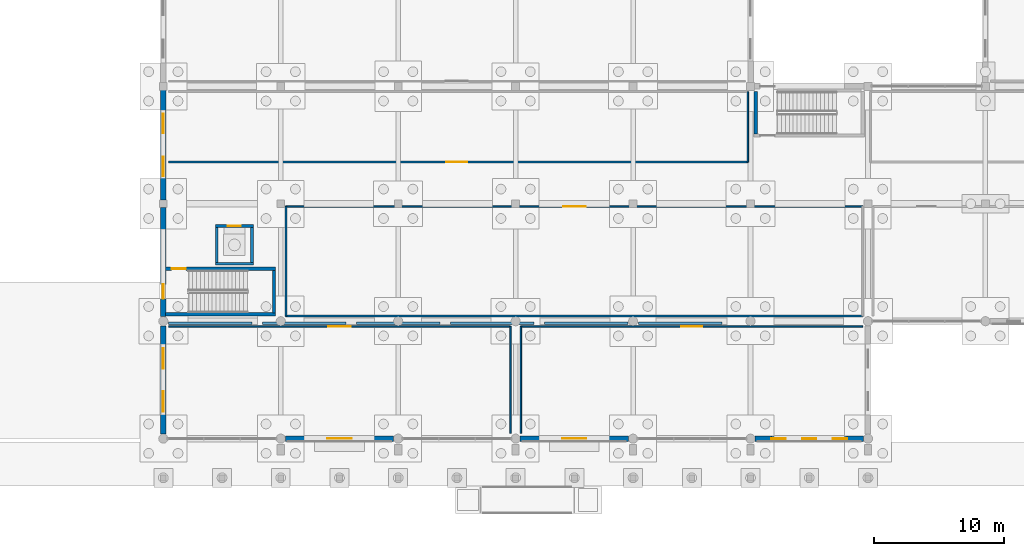
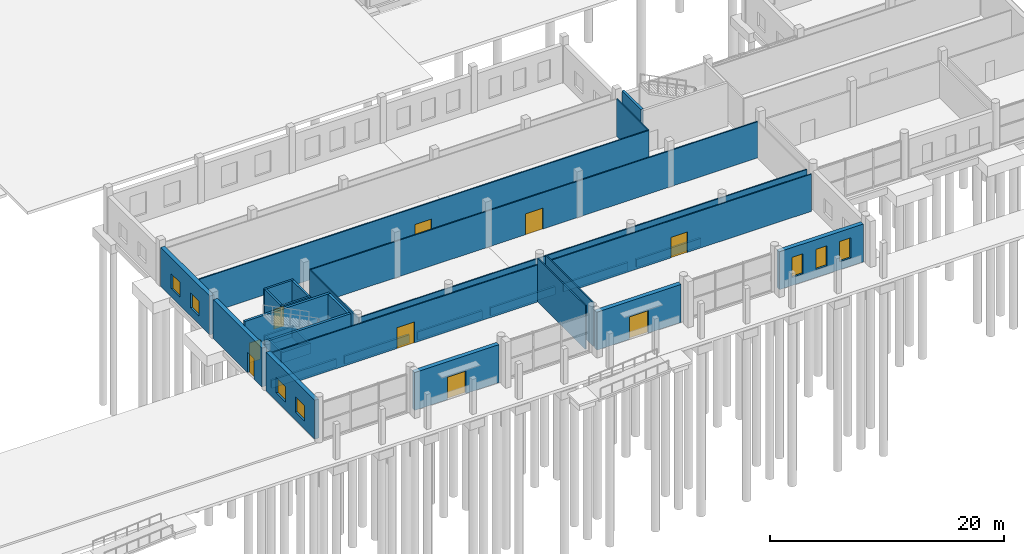
# One storey, part 75 of 112: 33 walls, 9 doors, 7 windows, 16 openings.
"""IFC4 building model written with IfcOpenShell, lengths in metres."""

from ifc_helpers import new_model, si_unit, direction, frame, frame_2d, origin, place, context, subcontext, project, spatial, rectangle, extrude, material, layer, layer_set, type_object, element, fill, save


model = new_model("IFC4")

# Units and contexts
model_context = context("Model", 3, precision=1e-05, world=origin(), true_north=direction((0.0, 1.0)))
body_context = subcontext(model_context, "Body", "Model", "MODEL_VIEW")
ifc_project = project(units=[si_unit("LENGTHUNIT", "METRE"), si_unit("AREAUNIT", "SQUARE_METRE"), si_unit("VOLUMEUNIT", "CUBIC_METRE"), si_unit("PLANEANGLEUNIT", "RADIAN"), si_unit("MASSUNIT", "GRAM", prefix="KILO")], contexts=[model_context])

# Site, building, storey
site_placement = place(None, origin())
site = spatial("IfcSite", under=ifc_project, at=site_placement, CompositionType="ELEMENT")
building_placement = place(site_placement, origin())
building = spatial("IfcBuilding", under=site, at=building_placement, Name="Tharagai Park Tramway Depot", CompositionType="ELEMENT")
storey_placement = place(building_placement, origin())
storey = spatial("IfcBuildingStorey", under=building, at=storey_placement, Name="L00", CompositionType="ELEMENT", Elevation=0.0)

# Wall, opening, door
ifc_material_1 = material(Name="Charnockite stone", Category="masonry")
ifc_layer_1 = layer(ifc_material_1, 0.419921875)
ifc_layer_set_1 = layer_set([ifc_layer_1], Name="Charnockite stone")
wall_type_1 = type_object("IfcWallType", Name="EW-07", PredefinedType="SOLIDWALL", material=ifc_layer_set_1)
wall_1_placement = place(storey_placement, frame((144.347900390625, 0.0, 0.0), z_axis=(0.0, 0.0, 1.0), x_axis=(1.0, 0.0, 0.0)))
wall_1 = element("IfcWall", 1, at=wall_1_placement, inside=storey, type_object=wall_type_1, Name="L00 V5 Exterior Masonry Wall EW-07", PredefinedType="SOLIDWALL", context=body_context, shape_type="SweptSolid", body=[
    extrude(rectangle(XDim=8.30419921875, YDim=0.419921875, at=frame_2d((4.152099609375, 0.0))), origin(), (0.0, 0.0, 1.0), 3.9619140625),
])
opening_1_placement = place(wall_1_placement, frame((3.22705078125, 0.0, 0.0)))
opening_1 = element("IfcOpeningElement", 2, at=opening_1_placement, cuts=wall_1, Name="Opening ED-01", PredefinedType="OPENING", context=body_context, shape_type="SweptSolid", body=[
    extrude(rectangle(XDim=1.85009765625, YDim=2.35009765625, at=frame_2d((0.925048828125, 1.175048828125))), frame((0.0, 0.219970703125, 0.0), z_axis=(0.0, -1.0, 0.0), x_axis=(1.0, 0.0, 0.0)), (0.0, 0.0, 1.0), 0.43994140625),
])
ifc_material_2 = material(Name="Anodised aluminium", Category="aluminium")
door_type_1 = type_object("IfcDoorType", Name="ED-01", OperationType="DOUBLE_SWING_LEFT", PredefinedType="DOOR", material=ifc_material_2)
door_1_placement = place(opening_1_placement, frame((1.85009765625, 0.0, 0.0), z_axis=(0.0, 0.0, 1.0), x_axis=(-1.0, 0.0, 0.0)))
door_1 = element("IfcDoor", 3, at=door_1_placement, inside=storey, type_object=door_type_1, Name="Civic Entrance Double Door", OperationType="DOUBLE_SWING_LEFT", OverallHeight=2.35009765625, OverallWidth=1.85009765625, PredefinedType="DOOR", context=body_context, shape_type="SweptSolid", body=[
    extrude(rectangle(XDim=1.85009765625, YDim=2.35009765625, at=frame_2d((0.925048828125, 1.175048828125))), frame((0.0, 0.02490234375, 0.0), z_axis=(0.0, -1.0, 0.0), x_axis=(1.0, 0.0, 0.0)), (0.0, 0.0, 1.0), 0.050048828125),
])
fill(opening_1, door_1)

wall_2_placement = place(storey_placement, frame((162.347900390625, 0.0, 0.0), z_axis=(0.0, 0.0, 1.0), x_axis=(1.0, 0.0, 0.0)))
wall_2 = element("IfcWall", 4, at=wall_2_placement, inside=storey, type_object=wall_type_1, Name="L00 V5 Exterior Masonry Wall EW-07", PredefinedType="SOLIDWALL", context=body_context, shape_type="SweptSolid", body=[
    extrude(rectangle(XDim=8.30419921875, YDim=0.419921875, at=frame_2d((4.152099609375, 0.0))), origin(), (0.0, 0.0, 1.0), 3.9619140625),
])
opening_2_placement = place(wall_2_placement, frame((3.22705078125, 0.0, 0.0)))
opening_2 = element("IfcOpeningElement", 5, at=opening_2_placement, cuts=wall_2, Name="Opening ED-01", PredefinedType="OPENING", context=body_context, shape_type="SweptSolid", body=[
    extrude(rectangle(XDim=1.85009765625, YDim=2.35009765625, at=frame_2d((0.925048828125, 1.175048828125))), frame((0.0, 0.219970703125, 0.0), z_axis=(0.0, -1.0, 0.0), x_axis=(1.0, 0.0, 0.0)), (0.0, 0.0, 1.0), 0.43994140625),
])
door_2_placement = place(opening_2_placement, frame((1.85009765625, 0.0, 0.0), z_axis=(0.0, 0.0, 1.0), x_axis=(-1.0, 0.0, 0.0)))
door_2 = element("IfcDoor", 6, at=door_2_placement, inside=storey, type_object=door_type_1, Name="Civic Entrance Double Door", OperationType="DOUBLE_SWING_LEFT", OverallHeight=2.35009765625, OverallWidth=1.85009765625, PredefinedType="DOOR", context=body_context, shape_type="SweptSolid", body=[
    extrude(rectangle(XDim=1.85009765625, YDim=2.35009765625, at=frame_2d((0.925048828125, 1.175048828125))), frame((0.0, 0.02490234375, 0.0), z_axis=(0.0, -1.0, 0.0), x_axis=(1.0, 0.0, 0.0)), (0.0, 0.0, 1.0), 0.050048828125),
])
fill(opening_2, door_2)

# Wall, openings, windows
wall_3_placement = place(storey_placement, frame((180.347900390625, 0.0, 0.0), z_axis=(0.0, 0.0, 1.0), x_axis=(1.0, 0.0, 0.0)))
wall_3 = element("IfcWall", 7, at=wall_3_placement, inside=storey, type_object=wall_type_1, Name="L00 V5 Exterior Masonry Wall EW-07", PredefinedType="SOLIDWALL", context=body_context, shape_type="SweptSolid", body=[
    extrude(rectangle(XDim=8.30419921875, YDim=0.419921875, at=frame_2d((4.152099609375, 0.0))), origin(), (0.0, 0.0, 1.0), 3.9619140625),
])
opening_3_placement = place(wall_3_placement, frame((1.2509765625, 0.0, 0.85009765625)))
opening_3 = element("IfcOpeningElement", 8, at=opening_3_placement, cuts=wall_3, Name="Opening WN-10", PredefinedType="OPENING", context=body_context, shape_type="SweptSolid", body=[
    extrude(rectangle(XDim=1.10009765625, YDim=2.10009765625, at=frame_2d((0.550048828125, 1.050048828125))), frame((0.0, 0.219970703125, 0.0), z_axis=(0.0, -1.0, 0.0), x_axis=(1.0, 0.0, 0.0)), (0.0, 0.0, 1.0), 0.43994140625),
])
opening_4_placement = place(wall_3_placement, frame((3.60205078125, 0.0, 0.85009765625)))
opening_4 = element("IfcOpeningElement", 9, at=opening_4_placement, cuts=wall_3, Name="Opening WN-10", PredefinedType="OPENING", context=body_context, shape_type="SweptSolid", body=[
    extrude(rectangle(XDim=1.10009765625, YDim=2.10009765625, at=frame_2d((0.550048828125, 1.050048828125))), frame((0.0, 0.219970703125, 0.0), z_axis=(0.0, -1.0, 0.0), x_axis=(1.0, 0.0, 0.0)), (0.0, 0.0, 1.0), 0.43994140625),
])
opening_5_placement = place(wall_3_placement, frame((5.952880859375, 0.0, 0.85009765625)))
opening_5 = element("IfcOpeningElement", 10, at=opening_5_placement, cuts=wall_3, Name="Opening WN-10", PredefinedType="OPENING", context=body_context, shape_type="SweptSolid", body=[
    extrude(rectangle(XDim=1.10009765625, YDim=2.10009765625, at=frame_2d((0.550048828125, 1.050048828125))), frame((0.0, 0.219970703125, 0.0), z_axis=(0.0, -1.0, 0.0), x_axis=(1.0, 0.0, 0.0)), (0.0, 0.0, 1.0), 0.43994140625),
])
ifc_material_3 = material(Name="Laminated solar-control glass", Category="glass")
window_type_1 = type_object("IfcWindowType", Name="WN-10", PartitioningType="SINGLE_PANEL", PredefinedType="WINDOW", material=ifc_material_3)
window_1_placement = place(opening_3_placement, origin())
window_1 = element("IfcWindow", 11, at=window_1_placement, inside=storey, type_object=window_type_1, Name="L00 V5 Gothic Lancet Window WN-10", OverallHeight=2.10009765625, OverallWidth=1.10009765625, PartitioningType="SINGLE_PANEL", PredefinedType="WINDOW", context=body_context, shape_type="SweptSolid", body=[
    extrude(rectangle(XDim=1.10009765625, YDim=2.10009765625, at=frame_2d((0.550048828125, 1.050048828125))), frame((0.0, 0.030029296875, 0.0), z_axis=(0.0, -1.0, 0.0), x_axis=(1.0, 0.0, 0.0)), (0.0, 0.0, 1.0), 0.06005859375),
])
fill(opening_3, window_1)
window_2_placement = place(opening_4_placement, origin())
window_2 = element("IfcWindow", 12, at=window_2_placement, inside=storey, type_object=window_type_1, Name="L00 V5 Gothic Lancet Window WN-10", OverallHeight=2.10009765625, OverallWidth=1.10009765625, PartitioningType="SINGLE_PANEL", PredefinedType="WINDOW", context=body_context, shape_type="SweptSolid", body=[
    extrude(rectangle(XDim=1.10009765625, YDim=2.10009765625, at=frame_2d((0.550048828125, 1.050048828125))), frame((0.0, 0.030029296875, 0.0), z_axis=(0.0, -1.0, 0.0), x_axis=(1.0, 0.0, 0.0)), (0.0, 0.0, 1.0), 0.06005859375),
])
fill(opening_4, window_2)
window_3_placement = place(opening_5_placement, origin())
window_3 = element("IfcWindow", 13, at=window_3_placement, inside=storey, type_object=window_type_1, Name="L00 V5 Gothic Lancet Window WN-10", OverallHeight=2.10009765625, OverallWidth=1.10009765625, PartitioningType="SINGLE_PANEL", PredefinedType="WINDOW", context=body_context, shape_type="SweptSolid", body=[
    extrude(rectangle(XDim=1.10009765625, YDim=2.10009765625, at=frame_2d((0.550048828125, 1.050048828125))), frame((0.0, 0.030029296875, 0.0), z_axis=(0.0, -1.0, 0.0), x_axis=(1.0, 0.0, 0.0)), (0.0, 0.0, 1.0), 0.06005859375),
])
fill(opening_5, window_3)

wall_4_placement = place(storey_placement, frame((135.0, 0.347900390625, 0.0), z_axis=(0.0, 0.0, 1.0), x_axis=(0.0, 1.0, 0.0)))
wall_4 = element("IfcWall", 14, at=wall_4_placement, inside=storey, type_object=wall_type_1, Name="L00 V5 Exterior Masonry Wall EW-07", PredefinedType="SOLIDWALL", context=body_context, shape_type="SweptSolid", body=[
    extrude(rectangle(XDim=8.30419921875, YDim=0.419921875, at=frame_2d((4.152099609375, 0.0))), origin(), (0.0, 0.0, 1.0), 4.06201171875),
])
opening_6_placement = place(wall_4_placement, frame((1.715087890625, 0.0, 0.85009765625)))
opening_6 = element("IfcOpeningElement", 15, at=opening_6_placement, cuts=wall_4, Name="Opening WN-33", PredefinedType="OPENING", context=body_context, shape_type="SweptSolid", body=[
    extrude(rectangle(XDim=1.580078125, YDim=1.60009765625, at=frame_2d((0.7900390625, 0.800048828125))), frame((0.0, 0.219970703125, 0.0), z_axis=(0.0, -1.0, 0.0), x_axis=(1.0, 0.0, 0.0)), (0.0, 0.0, 1.0), 0.43994140625),
])
opening_7_placement = place(wall_4_placement, frame((5.009033203125, 0.0, 0.85009765625)))
opening_7 = element("IfcOpeningElement", 16, at=opening_7_placement, cuts=wall_4, Name="Opening WN-33", PredefinedType="OPENING", context=body_context, shape_type="SweptSolid", body=[
    extrude(rectangle(XDim=1.580078125, YDim=1.60009765625, at=frame_2d((0.7900390625, 0.800048828125))), frame((0.0, 0.219970703125, 0.0), z_axis=(0.0, -1.0, 0.0), x_axis=(1.0, 0.0, 0.0)), (0.0, 0.0, 1.0), 0.43994140625),
])
window_type_2 = type_object("IfcWindowType", Name="WN-33", PartitioningType="SINGLE_PANEL", PredefinedType="WINDOW", material=ifc_material_3)
window_4_placement = place(opening_6_placement, origin())
window_4 = element("IfcWindow", 17, at=window_4_placement, inside=storey, type_object=window_type_2, Name="L00 V5 Side Lancet Window WN-33", OverallHeight=1.60009765625, OverallWidth=1.580078125, PartitioningType="SINGLE_PANEL", PredefinedType="WINDOW", context=body_context, shape_type="SweptSolid", body=[
    extrude(rectangle(XDim=1.580078125, YDim=1.60009765625, at=frame_2d((0.7900390625, 0.800048828125))), frame((0.0, 0.030029296875, 0.0), z_axis=(0.0, -1.0, 0.0), x_axis=(1.0, 0.0, 0.0)), (0.0, 0.0, 1.0), 0.06005859375),
])
fill(opening_6, window_4)
window_5_placement = place(opening_7_placement, origin())
window_5 = element("IfcWindow", 18, at=window_5_placement, inside=storey, type_object=window_type_2, Name="L00 V5 Side Lancet Window WN-33", OverallHeight=1.60009765625, OverallWidth=1.580078125, PartitioningType="SINGLE_PANEL", PredefinedType="WINDOW", context=body_context, shape_type="SweptSolid", body=[
    extrude(rectangle(XDim=1.580078125, YDim=1.60009765625, at=frame_2d((0.7900390625, 0.800048828125))), frame((0.0, 0.030029296875, 0.0), z_axis=(0.0, -1.0, 0.0), x_axis=(1.0, 0.0, 0.0)), (0.0, 0.0, 1.0), 0.06005859375),
])
fill(opening_7, window_5)

# Wall, opening, door
wall_5_placement = place(storey_placement, frame((135.0, 9.347900390625, 0.0), z_axis=(0.0, 0.0, 1.0), x_axis=(0.0, 1.0, 0.0)))
wall_5 = element("IfcWall", 19, at=wall_5_placement, inside=storey, type_object=wall_type_1, Name="L00 V5 Exterior Masonry Wall EW-07", PredefinedType="SOLIDWALL", context=body_context, shape_type="SweptSolid", body=[
    extrude(rectangle(XDim=8.35400390625, YDim=0.419921875, at=frame_2d((4.177001953125, 0.0))), origin(), (0.0, 0.0, 1.0), 4.06201171875),
])
opening_8_placement = place(wall_5_placement, frame((1.362060546875, 0.0, 0.0)))
opening_8 = element("IfcOpeningElement", 20, at=opening_8_placement, cuts=wall_5, Name="Opening ED-08", PredefinedType="OPENING", context=body_context, shape_type="SweptSolid", body=[
    extrude(rectangle(XDim=1.1201171875, YDim=2.139892578125, at=frame_2d((0.56005859375, 1.06982421875))), frame((0.0, 0.219970703125, 0.0), z_axis=(0.0, -1.0, 0.0), x_axis=(1.0, 0.0, 0.0)), (0.0, 0.0, 1.0), 0.43994140625),
])
door_type_2 = type_object("IfcDoorType", Name="ED-08", OperationType="NOTDEFINED", PredefinedType="DOOR", material=ifc_material_2)
door_3_placement = place(opening_8_placement, origin())
door_3 = element("IfcDoor", 21, at=door_3_placement, inside=storey, type_object=door_type_2, Name="Core C6 Final Exit Door", OperationType="SINGLE_SWING_LEFT", OverallHeight=2.139892578125, OverallWidth=1.1201171875, PredefinedType="DOOR", context=body_context, shape_type="SweptSolid", body=[
    extrude(rectangle(XDim=1.1201171875, YDim=2.139892578125, at=frame_2d((0.56005859375, 1.06982421875))), frame((0.0, 0.02490234375, 0.0), z_axis=(0.0, -1.0, 0.0), x_axis=(1.0, 0.0, 0.0)), (0.0, 0.0, 1.0), 0.050048828125),
])
fill(opening_8, door_3)

# Wall, openings, windows
wall_6_placement = place(storey_placement, frame((135.0, 18.298095703125, 0.0), z_axis=(0.0, 0.0, 1.0), x_axis=(0.0, 1.0, 0.0)))
wall_6 = element("IfcWall", 22, at=wall_6_placement, inside=storey, type_object=wall_type_1, Name="L00 V5 Exterior Masonry Wall EW-07", PredefinedType="SOLIDWALL", context=body_context, shape_type="SweptSolid", body=[
    extrude(rectangle(XDim=8.40380859375, YDim=0.419921875, at=frame_2d((4.201904296875, 0.0))), origin(), (0.0, 0.0, 1.0), 4.06201171875),
])
opening_9_placement = place(wall_6_placement, frame((1.81494140625, 0.0, 0.85009765625)))
opening_9 = element("IfcOpeningElement", 23, at=opening_9_placement, cuts=wall_6, Name="Opening WN-03", PredefinedType="OPENING", context=body_context, shape_type="SweptSolid", body=[
    extrude(rectangle(XDim=1.47998046875, YDim=1.56005859375, at=frame_2d((0.739990234375, 0.780029296875))), frame((0.0, 0.219970703125, 0.0), z_axis=(0.0, -1.0, 0.0), x_axis=(1.0, 0.0, 0.0)), (0.0, 0.0, 1.0), 0.43994140625),
])
opening_10_placement = place(wall_6_placement, frame((5.10888671875, 0.0, 0.85009765625)))
opening_10 = element("IfcOpeningElement", 24, at=opening_10_placement, cuts=wall_6, Name="Opening WN-03", PredefinedType="OPENING", context=body_context, shape_type="SweptSolid", body=[
    extrude(rectangle(XDim=1.47998046875, YDim=1.56005859375, at=frame_2d((0.739990234375, 0.780029296875))), frame((0.0, 0.219970703125, 0.0), z_axis=(0.0, -1.0, 0.0), x_axis=(1.0, 0.0, 0.0)), (0.0, 0.0, 1.0), 0.43994140625),
])
window_type_3 = type_object("IfcWindowType", Name="WN-03", PartitioningType="SINGLE_PANEL", PredefinedType="WINDOW", material=ifc_material_3)
window_6_placement = place(opening_9_placement, origin())
window_6 = element("IfcWindow", 25, at=window_6_placement, inside=storey, type_object=window_type_3, Name="L00 V5 Side Lancet Window WN-03", OverallHeight=1.56005859375, OverallWidth=1.47998046875, PartitioningType="SINGLE_PANEL", PredefinedType="WINDOW", context=body_context, shape_type="SweptSolid", body=[
    extrude(rectangle(XDim=1.47998046875, YDim=1.56005859375, at=frame_2d((0.739990234375, 0.780029296875))), frame((0.0, 0.030029296875, 0.0), z_axis=(0.0, -1.0, 0.0), x_axis=(1.0, 0.0, 0.0)), (0.0, 0.0, 1.0), 0.06005859375),
])
fill(opening_9, window_6)
window_7_placement = place(opening_10_placement, origin())
window_7 = element("IfcWindow", 26, at=window_7_placement, inside=storey, type_object=window_type_3, Name="L00 V5 Side Lancet Window WN-03", OverallHeight=1.56005859375, OverallWidth=1.47998046875, PartitioningType="SINGLE_PANEL", PredefinedType="WINDOW", context=body_context, shape_type="SweptSolid", body=[
    extrude(rectangle(XDim=1.47998046875, YDim=1.56005859375, at=frame_2d((0.739990234375, 0.780029296875))), frame((0.0, 0.030029296875, 0.0), z_axis=(0.0, -1.0, 0.0), x_axis=(1.0, 0.0, 0.0)), (0.0, 0.0, 1.0), 0.06005859375),
])
fill(opening_10, window_7)

# Wall, opening, door
ifc_material_4 = material(Name="Gypsum board", Category="gypsum")
ifc_layer_2 = layer(ifc_material_4, 0.1201171875)
ifc_layer_set_2 = layer_set([ifc_layer_2], Name="Gypsum board")
wall_type_2 = type_object("IfcWallType", Name="IW-03", PredefinedType="PARTITIONING", material=ifc_layer_set_2)
wall_7_placement = place(storey_placement, frame((135.39990234375, 8.60009765625, 0.0), z_axis=(0.0, 0.0, 1.0), x_axis=(1.0, 0.0, 0.0)))
wall_7 = element("IfcWall", 27, at=wall_7_placement, inside=storey, type_object=wall_type_2, Name="Pointed-Arch Park Colonnade and Visitor Desk Partition North", PredefinedType="PARTITIONING", context=body_context, shape_type="SweptSolid", body=[
    extrude(rectangle(XDim=26.2001953125, YDim=0.1201171875, at=frame_2d((13.10009765625, 0.0))), origin(), (0.0, 0.0, 1.0), 3.885009765625),
])
opening_11_placement = place(wall_7_placement, frame((12.22998046875, 0.0, 0.0)))
opening_11 = element("IfcOpeningElement", 28, at=opening_11_placement, cuts=wall_7, Name="Opening ID-04", PredefinedType="OPENING", context=body_context, shape_type="SweptSolid", body=[
    extrude(rectangle(XDim=1.739990234375, YDim=2.179931640625, at=frame_2d((0.8701171875, 1.08984375))), frame((0.0, 0.070068359375, 0.0), z_axis=(0.0, -1.0, 0.0), x_axis=(1.0, 0.0, 0.0)), (0.0, 0.0, 1.0), 0.14013671875),
])
door_type_3 = type_object("IfcDoorType", Name="ID-04", OperationType="DOUBLE_SWING_LEFT", PredefinedType="DOOR", material=ifc_material_2)
door_4_placement = place(opening_11_placement, origin())
door_4 = element("IfcDoor", 29, at=door_4_placement, inside=storey, type_object=door_type_3, Name="Pointed-Arch Park Colonnade and Visitor Desk Door", OperationType="DOUBLE_SWING_LEFT", OverallHeight=2.179931640625, OverallWidth=1.739990234375, PredefinedType="DOOR", context=body_context, shape_type="SweptSolid", body=[
    extrude(rectangle(XDim=1.739990234375, YDim=2.179931640625, at=frame_2d((0.8701171875, 1.08984375))), frame((0.0, 0.02490234375, 0.0), z_axis=(0.0, -1.0, 0.0), x_axis=(1.0, 0.0, 0.0)), (0.0, 0.0, 1.0), 0.050048828125),
])
fill(opening_11, door_4)

# Wall
wall_8_placement = place(storey_placement, frame((161.60009765625, 0.39990234375, 0.0), z_axis=(0.0, 0.0, 1.0), x_axis=(0.0, 1.0, 0.0)))
element("IfcWall", 30, at=wall_8_placement, inside=storey, type_object=wall_type_2, Name="Pointed-Arch Park Colonnade and Visitor Desk Partition East", PredefinedType="PARTITIONING", context=body_context, shape_type="SweptSolid", body=[
    extrude(rectangle(XDim=8.2001953125, YDim=0.1201171875, at=frame_2d((4.10009765625, 0.0))), origin(), (0.0, 0.0, 1.0), 4.550048828125),
])

# Wall, opening, door
wall_9_placement = place(storey_placement, frame((162.39990234375, 8.60009765625, 0.0), z_axis=(0.0, 0.0, 1.0), x_axis=(1.0, 0.0, 0.0)))
wall_9 = element("IfcWall", 31, at=wall_9_placement, inside=storey, type_object=wall_type_2, Name="Park-Edge Cafe Partition North", PredefinedType="PARTITIONING", context=body_context, shape_type="SweptSolid", body=[
    extrude(rectangle(XDim=26.2001953125, YDim=0.1201171875, at=frame_2d((13.10009765625, 0.0))), origin(), (0.0, 0.0, 1.0), 3.885009765625),
])
opening_12_placement = place(wall_9_placement, frame((12.2900390625, 0.0, 0.0)))
opening_12 = element("IfcOpeningElement", 32, at=opening_12_placement, cuts=wall_9, Name="Opening ID-01", PredefinedType="OPENING", context=body_context, shape_type="SweptSolid", body=[
    extrude(rectangle(XDim=1.6201171875, YDim=2.139892578125, at=frame_2d((0.81005859375, 1.06982421875))), frame((0.0, 0.070068359375, 0.0), z_axis=(0.0, -1.0, 0.0), x_axis=(1.0, 0.0, 0.0)), (0.0, 0.0, 1.0), 0.14013671875),
])
door_type_4 = type_object("IfcDoorType", Name="ID-01", OperationType="DOUBLE_SWING_LEFT", PredefinedType="DOOR", material=ifc_material_2)
door_5_placement = place(opening_12_placement, origin())
door_5 = element("IfcDoor", 33, at=door_5_placement, inside=storey, type_object=door_type_4, Name="Park-Edge Cafe Door", OperationType="DOUBLE_SWING_LEFT", OverallHeight=2.139892578125, OverallWidth=1.6201171875, PredefinedType="DOOR", context=body_context, shape_type="SweptSolid", body=[
    extrude(rectangle(XDim=1.6201171875, YDim=2.139892578125, at=frame_2d((0.81005859375, 1.06982421875))), frame((0.0, 0.02490234375, 0.0), z_axis=(0.0, -1.0, 0.0), x_axis=(1.0, 0.0, 0.0)), (0.0, 0.0, 1.0), 0.050048828125),
])
fill(opening_12, door_5)

# Walls
wall_10_placement = place(storey_placement, frame((162.39990234375, 0.39990234375, 0.0), z_axis=(0.0, 0.0, 1.0), x_axis=(0.0, 1.0, 0.0)))
element("IfcWall", 34, at=wall_10_placement, inside=storey, type_object=wall_type_2, Name="Park-Edge Cafe Partition West", PredefinedType="PARTITIONING", context=body_context, shape_type="SweptSolid", body=[
    extrude(rectangle(XDim=8.2001953125, YDim=0.1201171875, at=frame_2d((4.10009765625, 0.0))), origin(), (0.0, 0.0, 1.0), 4.550048828125),
])
wall_11_placement = place(storey_placement, frame((144.39990234375, 9.39990234375, 0.0), z_axis=(0.0, 0.0, 1.0), x_axis=(1.0, 0.0, 0.0)))
element("IfcWall", 35, at=wall_11_placement, inside=storey, type_object=wall_type_2, Name="Tramway Museum Ticketing and Orientation Hall Partition South", PredefinedType="PARTITIONING", context=body_context, shape_type="SweptSolid", body=[
    extrude(rectangle(XDim=44.2001953125, YDim=0.1201171875, at=frame_2d((22.10009765625, 0.0))), origin(), (0.0, 0.0, 1.0), 3.885009765625),
])

# Wall, opening, door
wall_12_placement = place(storey_placement, frame((144.39990234375, 17.800048828125, 0.0), z_axis=(0.0, 0.0, 1.0), x_axis=(1.0, 0.0, 0.0)))
wall_12 = element("IfcWall", 36, at=wall_12_placement, inside=storey, type_object=wall_type_2, Name="Tramway Museum Ticketing and Orientation Hall Partition North", PredefinedType="PARTITIONING", context=body_context, shape_type="SweptSolid", body=[
    extrude(rectangle(XDim=44.2001953125, YDim=0.1201171875, at=frame_2d((22.10009765625, 0.0))), origin(), (0.0, 0.0, 1.0), 3.784912109375),
])
opening_13_placement = place(wall_12_placement, frame((21.22998046875, 0.0, 0.0)))
opening_13 = element("IfcOpeningElement", 37, at=opening_13_placement, cuts=wall_12, Name="Opening ID-04", PredefinedType="OPENING", context=body_context, shape_type="SweptSolid", body=[
    extrude(rectangle(XDim=1.739990234375, YDim=2.179931640625, at=frame_2d((0.8701171875, 1.08984375))), frame((0.0, 0.070068359375, 0.0), z_axis=(0.0, -1.0, 0.0), x_axis=(1.0, 0.0, 0.0)), (0.0, 0.0, 1.0), 0.14013671875),
])
door_6_placement = place(opening_13_placement, origin())
door_6 = element("IfcDoor", 38, at=door_6_placement, inside=storey, type_object=door_type_3, Name="Tramway Museum Ticketing and Orientation Hall Door", OperationType="DOUBLE_SWING_LEFT", OverallHeight=2.179931640625, OverallWidth=1.739990234375, PredefinedType="DOOR", context=body_context, shape_type="SweptSolid", body=[
    extrude(rectangle(XDim=1.739990234375, YDim=2.179931640625, at=frame_2d((0.8701171875, 1.08984375))), frame((0.0, 0.02490234375, 0.0), z_axis=(0.0, -1.0, 0.0), x_axis=(1.0, 0.0, 0.0)), (0.0, 0.0, 1.0), 0.050048828125),
])
fill(opening_13, door_6)

# Wall
wall_13_placement = place(storey_placement, frame((144.39990234375, 9.39990234375, 0.0), z_axis=(0.0, 0.0, 1.0), x_axis=(0.0, 1.0, 0.0)))
element("IfcWall", 39, at=wall_13_placement, inside=storey, type_object=wall_type_2, Name="Tramway Museum Ticketing and Orientation Hall Partition West", PredefinedType="PARTITIONING", context=body_context, shape_type="SweptSolid", body=[
    extrude(rectangle(XDim=8.400146484375, YDim=0.1201171875, at=frame_2d((4.2001953125, 0.0))), origin(), (0.0, 0.0, 1.0), 3.784912109375),
])

# Wall, opening, door
wall_14_placement = place(storey_placement, frame((135.39990234375, 21.199951171875, 0.0), z_axis=(0.0, 0.0, 1.0), x_axis=(1.0, 0.0, 0.0)))
wall_14 = element("IfcWall", 40, at=wall_14_placement, inside=storey, type_object=wall_type_2, Name="Heritage Madras Tramcar Display Hall Partition South", PredefinedType="PARTITIONING", context=body_context, shape_type="SweptSolid", body=[
    extrude(rectangle(XDim=44.400146484375, YDim=0.1201171875, at=frame_2d((22.2001953125, 0.0))), origin(), (0.0, 0.0, 1.0), 3.885009765625),
])
opening_14_placement = place(wall_14_placement, frame((21.2900390625, 0.0, 0.0)))
opening_14 = element("IfcOpeningElement", 41, at=opening_14_placement, cuts=wall_14, Name="Opening ID-01", PredefinedType="OPENING", context=body_context, shape_type="SweptSolid", body=[
    extrude(rectangle(XDim=1.6201171875, YDim=2.139892578125, at=frame_2d((0.81005859375, 1.06982421875))), frame((0.0, 0.070068359375, 0.0), z_axis=(0.0, -1.0, 0.0), x_axis=(1.0, 0.0, 0.0)), (0.0, 0.0, 1.0), 0.14013671875),
])
door_7_placement = place(opening_14_placement, frame((1.6201171875, 0.0, 0.0), z_axis=(0.0, 0.0, 1.0), x_axis=(-1.0, 0.0, 0.0)))
door_7 = element("IfcDoor", 42, at=door_7_placement, inside=storey, type_object=door_type_4, Name="Heritage Madras Tramcar Display Hall Door", OperationType="DOUBLE_SWING_LEFT", OverallHeight=2.139892578125, OverallWidth=1.6201171875, PredefinedType="DOOR", context=body_context, shape_type="SweptSolid", body=[
    extrude(rectangle(XDim=1.6201171875, YDim=2.139892578125, at=frame_2d((0.81005859375, 1.06982421875))), frame((0.0, 0.02490234375, 0.0), z_axis=(0.0, -1.0, 0.0), x_axis=(1.0, 0.0, 0.0)), (0.0, 0.0, 1.0), 0.050048828125),
])
fill(opening_14, door_7)

# Walls
wall_15_placement = place(storey_placement, frame((179.800048828125, 21.199951171875, 0.0), z_axis=(0.0, 0.0, 1.0), x_axis=(0.0, 1.0, 0.0)))
element("IfcWall", 43, at=wall_15_placement, inside=storey, type_object=wall_type_2, Name="Heritage Madras Tramcar Display Hall Partition East", PredefinedType="PARTITIONING", context=body_context, shape_type="SweptSolid", body=[
    extrude(rectangle(XDim=5.400146484375, YDim=0.1201171875, at=frame_2d((2.7001953125, 0.0))), origin(), (0.0, 0.0, 1.0), 3.885009765625),
])
ifc_layer_3 = layer(ifc_material_1, 0.199951171875)
ifc_layer_set_3 = layer_set([ifc_layer_3], Name="Charnockite stone")
wall_type_3 = type_object("IfcWallType", Name="PRW-01", PredefinedType="PARAPET", material=ifc_layer_set_3)
wall_16_placement = place(storey_placement, frame((135.39990234375, 8.85009765625, 0.0), z_axis=(0.0, 0.0, 1.0), x_axis=(1.0, 0.0, 0.0)))
element("IfcWall", 44, at=wall_16_placement, inside=storey, type_object=wall_type_3, Name="Park Arcade Low Stone Parapet Kerb #1", PredefinedType="PARAPET", context=body_context, shape_type="SweptSolid", body=[
    extrude(rectangle(XDim=6.400146484375, YDim=0.199951171875, at=frame_2d((3.2001953125, 0.0))), origin(), (0.0, 0.0, 1.0), 0.85009765625),
])
for number, where, z_axis, x_axis, name in (
    (45, (142.60009765625, 8.85009765625, 0.0), (0.0, 0.0, 1.0), (1.0, 0.0, 0.0), "Park Arcade Low Stone Parapet Kerb #2"),
    (46, (149.800048828125, 8.85009765625, 0.0), (0.0, 0.0, 1.0), (1.0, 0.0, 0.0), "Park Arcade Low Stone Parapet Kerb #3"),
    (47, (157.0, 8.85009765625, 0.0), (0.0, 0.0, 1.0), (1.0, 0.0, 0.0), "Park Arcade Low Stone Parapet Kerb #4"),
):
    element("IfcWall", number, at=place(storey_placement, frame(where, z_axis=z_axis, x_axis=x_axis)), inside=storey, type_object=wall_type_3, Name=name, PredefinedType="PARAPET", context=body_context, shape_type="SweptSolid", body=[
        extrude(rectangle(XDim=6.39990234375, YDim=0.199951171875, at=frame_2d((3.199951171875, 0.0))), origin(), (0.0, 0.0, 1.0), 0.85009765625),
    ])
for number, where, z_axis, x_axis, name in (
    (48, (164.199951171875, 8.85009765625, 0.0), (0.0, 0.0, 1.0), (1.0, 0.0, 0.0), "Park Arcade Low Stone Parapet Kerb #5"),
    (49, (171.39990234375, 8.85009765625, 0.0), (0.0, 0.0, 1.0), (1.0, 0.0, 0.0), "Park Arcade Low Stone Parapet Kerb #6"),
):
    element("IfcWall", number, at=place(storey_placement, frame(where, z_axis=z_axis, x_axis=x_axis)), inside=storey, type_object=wall_type_3, Name=name, PredefinedType="PARAPET", context=body_context, shape_type="SweptSolid", body=[
        extrude(rectangle(XDim=6.400146484375, YDim=0.199951171875, at=frame_2d((3.2001953125, 0.0))), origin(), (0.0, 0.0, 1.0), 0.85009765625),
    ])
ifc_material_5 = material(Name="Concrete M40", Category="concrete")
ifc_layer_4 = layer(ifc_material_5, 0.239990234375)
ifc_layer_set_4 = layer_set([ifc_layer_4], Name="Concrete M40")
wall_type_4 = type_object("IfcWallType", Name="SW-01", PredefinedType="SHEAR", material=ifc_layer_set_4)
wall_17_placement = place(storey_placement, frame((135.159912109375, 9.530029296875, 0.0), z_axis=(0.0, 0.0, 1.0), x_axis=(1.0, 0.0, 0.0)))
element("IfcWall", 50, at=wall_17_placement, inside=storey, type_object=wall_type_4, Name="Core C6 L00 Shear Wall South", PredefinedType="SHEAR", context=body_context, shape_type="SweptSolid", body=[
    extrude(rectangle(XDim=8.440185546875, YDim=0.239990234375, at=frame_2d((4.22021484375, 0.0))), origin(), (0.0, 0.0, 1.0), 4.550048828125),
])

# Wall, opening, door
wall_18_placement = place(storey_placement, frame((135.159912109375, 13.02001953125, 0.0), z_axis=(0.0, 0.0, 1.0), x_axis=(1.0, 0.0, 0.0)))
wall_18 = element("IfcWall", 51, at=wall_18_placement, inside=storey, type_object=wall_type_4, Name="Core C6 L00 Shear Wall North", PredefinedType="SHEAR", context=body_context, shape_type="SweptSolid", body=[
    extrude(rectangle(XDim=8.440185546875, YDim=0.239990234375, at=frame_2d((4.22021484375, 0.0))), origin(), (0.0, 0.0, 1.0), 4.550048828125),
])
opening_15_placement = place(wall_18_placement, frame((0.47998046875, 0.0, 0.0)))
opening_15 = element("IfcOpeningElement", 52, at=opening_15_placement, cuts=wall_18, Name="Opening ID-05", PredefinedType="OPENING", context=body_context, shape_type="SweptSolid", body=[
    extrude(rectangle(XDim=1.080078125, YDim=2.080078125, at=frame_2d((0.5400390625, 1.0400390625))), frame((0.0, 0.1298828125, 0.0), z_axis=(0.0, -1.0, 0.0), x_axis=(1.0, 0.0, 0.0)), (0.0, 0.0, 1.0), 0.260009765625),
])
ifc_material_6 = material(Name="Galvanised steel", Category="steel")
door_type_5 = type_object("IfcDoorType", Name="ID-05", OperationType="NOTDEFINED", PredefinedType="DOOR", material=ifc_material_6)
door_8_placement = place(opening_15_placement, origin())
door_8 = element("IfcDoor", 53, at=door_8_placement, inside=storey, type_object=door_type_5, Name="Stair ST-06 L00 Fire Door", OperationType="SINGLE_SWING_LEFT", OverallHeight=2.080078125, OverallWidth=1.080078125, PredefinedType="DOOR", context=body_context, shape_type="SweptSolid", body=[
    extrude(rectangle(XDim=1.080078125, YDim=2.080078125, at=frame_2d((0.5400390625, 1.0400390625))), frame((0.0, 0.02490234375, 0.0), z_axis=(0.0, -1.0, 0.0), x_axis=(1.0, 0.0, 0.0)), (0.0, 0.0, 1.0), 0.050048828125),
])
fill(opening_15, door_8)

# Walls
for number, where, z_axis, x_axis, name in (
    (54, (143.47998046875, 9.64990234375, 0.0), (0.0, 0.0, 1.0), (0.0, 1.0, 0.0), "Core C6 L00 Shear Wall East"),
    (55, (180.39990234375, 23.35009765625, 0.0), (0.0, 0.0, 1.0), (0.0, 1.0, 0.0), "Core C7 L00 Shear Wall West"),
):
    element("IfcWall", number, at=place(storey_placement, frame(where, z_axis=z_axis, x_axis=x_axis)), inside=storey, type_object=wall_type_4, Name=name, PredefinedType="SHEAR", context=body_context, shape_type="SweptSolid", body=[
        extrude(rectangle(XDim=3.25, YDim=0.239990234375, at=frame_2d((1.625, 0.0))), origin(), (0.0, 0.0, 1.0), 4.550048828125),
    ])
ifc_layer_5 = layer(ifc_material_5, 0.199951171875)
ifc_layer_set_5 = layer_set([ifc_layer_5], Name="Concrete M40")
wall_type_5 = type_object("IfcWallType", Name="SW-02", PredefinedType="SHEAR", material=ifc_layer_set_5)
for number, where, z_axis, x_axis, name in (
    (56, (139.0, 13.39990234375, -1.39990234375), (0.0, 0.0, 1.0), (1.0, 0.0, 0.0), "Lift LP-03 Pit Wall South"),
    (57, (139.0, 16.300048828125, -1.39990234375), (0.0, 0.0, 1.0), (1.0, 0.0, 0.0), "Lift LP-03 Pit Wall North"),
):
    element("IfcWall", number, at=place(storey_placement, frame(where, z_axis=z_axis, x_axis=x_axis)), inside=storey, type_object=wall_type_5, Name=name, PredefinedType="SHEAR", context=body_context, shape_type="SweptSolid", body=[
        extrude(rectangle(XDim=2.89990234375, YDim=0.199951171875, at=frame_2d((1.449951171875, 0.0))), origin(), (0.0, 0.0, 1.0), 1.099853515625),
    ])
for number, where, z_axis, x_axis, name in (
    (58, (139.10009765625, 13.5, -1.39990234375), (0.0, 0.0, 1.0), (0.0, 1.0, 0.0), "Lift LP-03 Pit Wall West"),
    (59, (141.800048828125, 13.5, -1.39990234375), (0.0, 0.0, 1.0), (0.0, 1.0, 0.0), "Lift LP-03 Pit Wall East"),
):
    element("IfcWall", number, at=place(storey_placement, frame(where, z_axis=z_axis, x_axis=x_axis)), inside=storey, type_object=wall_type_5, Name=name, PredefinedType="SHEAR", context=body_context, shape_type="SweptSolid", body=[
        extrude(rectangle(XDim=2.699951171875, YDim=0.199951171875, at=frame_2d((1.35009765625, 0.0))), origin(), (0.0, 0.0, 1.0), 1.099853515625),
    ])
wall_19_placement = place(storey_placement, frame((139.0, 13.39990234375, 0.0), z_axis=(0.0, 0.0, 1.0), x_axis=(1.0, 0.0, 0.0)))
element("IfcWall", 60, at=wall_19_placement, inside=storey, type_object=wall_type_5, Name="Lift LP-03 L00 Shaft Wall South", PredefinedType="SHEAR", context=body_context, shape_type="SweptSolid", body=[
    extrude(rectangle(XDim=2.89990234375, YDim=0.199951171875, at=frame_2d((1.449951171875, 0.0))), origin(), (0.0, 0.0, 1.0), 4.550048828125),
])

# Wall, opening, door
wall_20_placement = place(storey_placement, frame((139.0, 16.300048828125, 0.0), z_axis=(0.0, 0.0, 1.0), x_axis=(1.0, 0.0, 0.0)))
wall_20 = element("IfcWall", 61, at=wall_20_placement, inside=storey, type_object=wall_type_5, Name="Lift LP-03 L00 Shaft Wall North", PredefinedType="SHEAR", context=body_context, shape_type="SweptSolid", body=[
    extrude(rectangle(XDim=2.89990234375, YDim=0.199951171875, at=frame_2d((1.449951171875, 0.0))), origin(), (0.0, 0.0, 1.0), 4.550048828125),
])
opening_16_placement = place(wall_20_placement, frame((0.949951171875, 0.0, 0.0)))
opening_16 = element("IfcOpeningElement", 62, at=opening_16_placement, cuts=wall_20, Name="Opening LD-02", PredefinedType="OPENING", context=body_context, shape_type="SweptSolid", body=[
    extrude(rectangle(XDim=1.0, YDim=2.10009765625, at=frame_2d((0.5, 1.050048828125))), frame((0.0, 0.10986328125, 0.0), z_axis=(0.0, -1.0, 0.0), x_axis=(1.0, 0.0, 0.0)), (0.0, 0.0, 1.0), 0.219970703125),
])
door_type_6 = type_object("IfcDoorType", Name="LD-02", OperationType="SLIDING_TO_LEFT", PredefinedType="DOOR", material=ifc_material_2)
door_9_placement = place(opening_16_placement, origin())
door_9 = element("IfcDoor", 63, at=door_9_placement, inside=storey, type_object=door_type_6, Name="Lift LP-03 L00 Sliding Landing Door", OperationType="SLIDING_TO_LEFT", OverallHeight=2.10009765625, OverallWidth=1.0, PredefinedType="DOOR", context=body_context, shape_type="SweptSolid", body=[
    extrude(rectangle(XDim=1.0, YDim=2.10009765625, at=frame_2d((0.5, 1.050048828125))), frame((0.0, 0.02490234375, 0.0), z_axis=(0.0, -1.0, 0.0), x_axis=(1.0, 0.0, 0.0)), (0.0, 0.0, 1.0), 0.050048828125),
])
fill(opening_16, door_9)

# Walls
for number, where, z_axis, x_axis, name in (
    (64, (139.10009765625, 13.5, 0.0), (0.0, 0.0, 1.0), (0.0, 1.0, 0.0), "Lift LP-03 L00 Shaft Wall West"),
    (65, (141.800048828125, 13.5, 0.0), (0.0, 0.0, 1.0), (0.0, 1.0, 0.0), "Lift LP-03 L00 Shaft Wall East"),
):
    element("IfcWall", number, at=place(storey_placement, frame(where, z_axis=z_axis, x_axis=x_axis)), inside=storey, type_object=wall_type_5, Name=name, PredefinedType="SHEAR", context=body_context, shape_type="SweptSolid", body=[
        extrude(rectangle(XDim=2.699951171875, YDim=0.199951171875, at=frame_2d((1.35009765625, 0.0))), origin(), (0.0, 0.0, 1.0), 4.550048828125),
    ])

save(model, "model.ifc")
